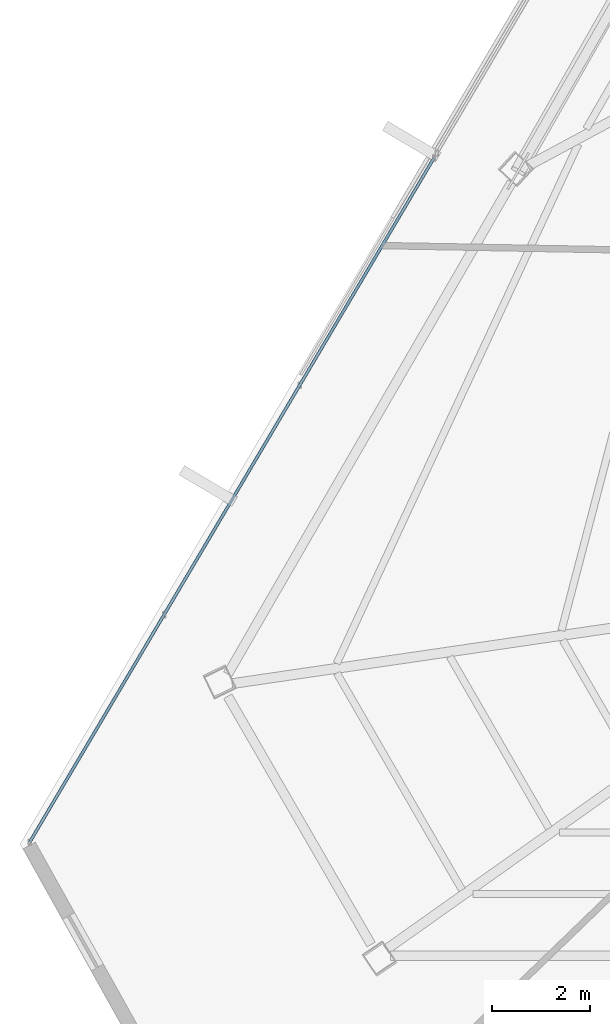
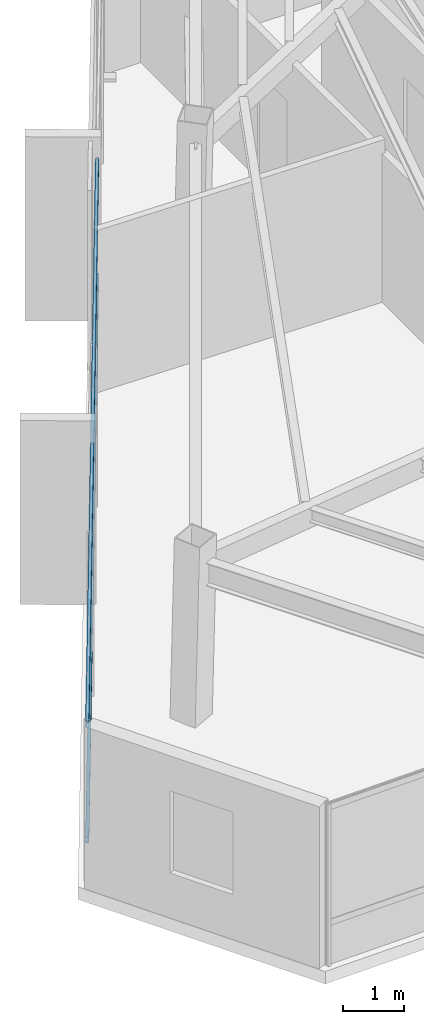
# One storey, part 8 of 44: 2 members, 1 element without a shape of its own.
"""IFC4 building model written with IfcOpenShell, lengths in metres."""

from ifc_helpers import new_model, si_unit, direction, frame, origin, origin_2d, place, context, subcontext, project, spatial, hollow_rectangle, extrude, source, transform, mapped, material, material_profile, profile_set, type_object, type_shapes, element, aggregate, save


model = new_model("IFC4")

# Units and contexts
model_context = context("Model", 3, precision=1e-05, world=origin(), true_north=direction((0.0, 1.0)))
body_context = subcontext(model_context, "Body", "Model", "MODEL_VIEW")
ifc_project = project(units=[si_unit("LENGTHUNIT", "METRE"), si_unit("AREAUNIT", "SQUARE_METRE"), si_unit("VOLUMEUNIT", "CUBIC_METRE"), si_unit("PLANEANGLEUNIT", "RADIAN"), si_unit("MASSUNIT", "GRAM", prefix="KILO")], contexts=[model_context])

# Site, building, storey
site_placement = place(None, origin())
site = spatial("IfcSite", under=ifc_project, at=site_placement, CompositionType="ELEMENT")
building_placement = place(site_placement, origin())
building = spatial("IfcBuilding", under=site, at=building_placement, Name="Caelisora Broadcast Tower", CompositionType="ELEMENT")
storey_placement = place(building_placement, frame((0.0, 0.0, 280.949951171875)))
storey = spatial("IfcBuildingStorey", under=building, at=storey_placement, Name="L74", CompositionType="ELEMENT", Elevation=280.949951171875)

# Curtain wall, members
ifc_material_1 = material(Name="Unitised Aluminium and Low-E Glass Curtain Wall", Category="glass")
curtain_wall_type = type_object("IfcCurtainWallType", Name="CW-Z5", PredefinedType="NOTDEFINED", material=ifc_material_1)
curtain_wall_placement = place(storey_placement, origin())
curtain_wall = element("IfcCurtainWall", 1, at=curtain_wall_placement, inside=storey, type_object=curtain_wall_type, Name="L74 curtain wall CW-Z5", PredefinedType="NOTDEFINED")
ifc_material_2 = material(Name="Aluminium 6063-T6 Anodised Terracotta Bronze", Category="aluminium")
ifc_material_profile = material_profile(ifc_material_2, hollow_rectangle(XDim=0.06005859375, YDim=0.1201171875, WallThickness=0.0029296875, at=origin_2d()), Name="Aluminium 6063-T6 Anodised Terracotta Bronze")
ifc_profile_set = profile_set([ifc_material_profile], Name="Aluminium 6063-T6 Anodised Terracotta Bronze")
member_type = type_object("IfcMemberType", Name="CWT-03", PredefinedType="USERDEFINED", material=ifc_profile_set)
shared_shape = source(origin(), body_context, "Body", "SweptSolid", [
    extrude(hollow_rectangle(XDim=0.06005859375, YDim=0.1201171875, WallThickness=0.0029296875, at=origin_2d()), origin(), (0.0, 0.0, 1.0), 16.14794921875),
])
type_shapes(member_type, [shared_shape])
member_1_placement = place(storey_placement, frame((12.84033203125, 12.197021484375, 0.85009765625), z_axis=(0.508680921056, 0.860955121103, 0.0), x_axis=(-0.860955121103, 0.508680921056, 0.0)))
member_1 = element("IfcMember", 2, at=member_1_placement, type_object=member_type, Name="L74-CW-B09 transom #1", ObjectType="TRANSOM", PredefinedType="USERDEFINED", context=body_context, shape_type="MappedRepresentation", body=[
    mapped(shared_shape, transform((0.0, 0.0, 0.0), scale=1.0)),
])
member_2_placement = place(storey_placement, frame((12.84033203125, 12.197021484375, 3.170166015625), z_axis=(0.508680921056, 0.860955121103, 0.0), x_axis=(-0.860955121103, 0.508680921056, 0.0)))
member_2 = element("IfcMember", 3, at=member_2_placement, type_object=member_type, Name="L74-CW-B09 transom #2", ObjectType="TRANSOM", PredefinedType="USERDEFINED", context=body_context, shape_type="MappedRepresentation", body=[
    mapped(shared_shape, transform((0.0, 0.0, 0.0), scale=1.0)),
])
aggregate(curtain_wall, [member_1, member_2])

save(model, "model.ifc")
